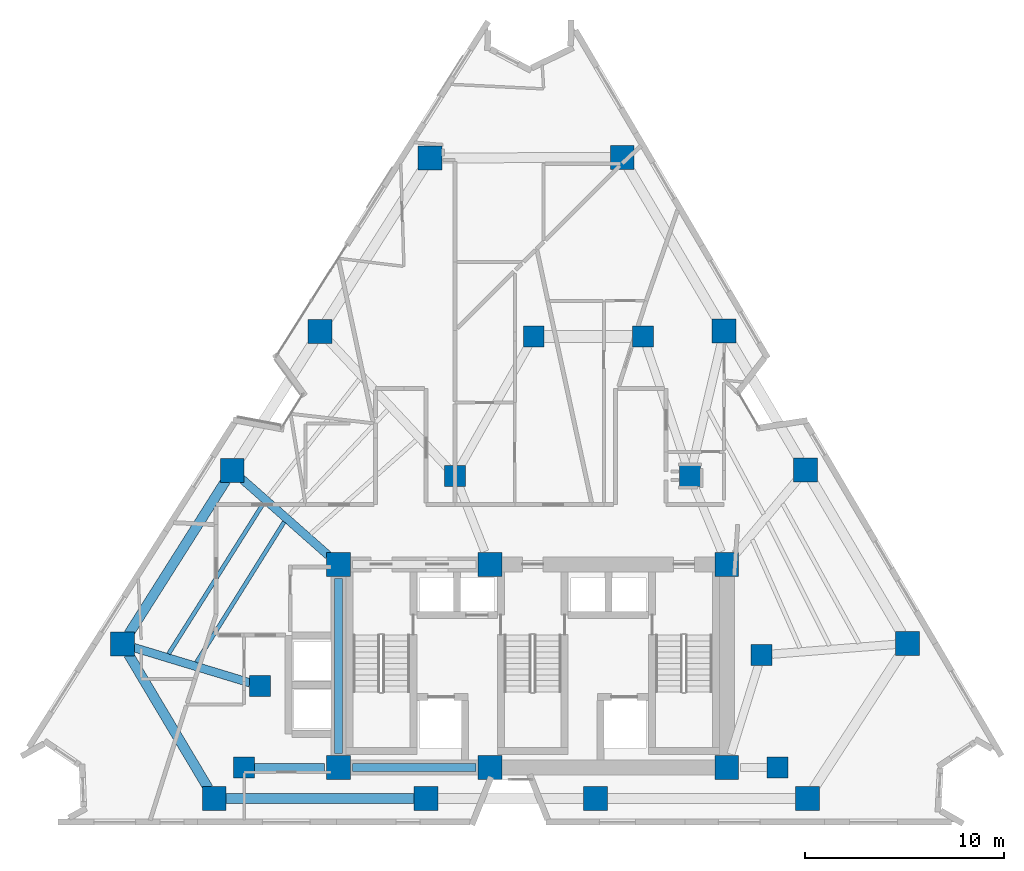
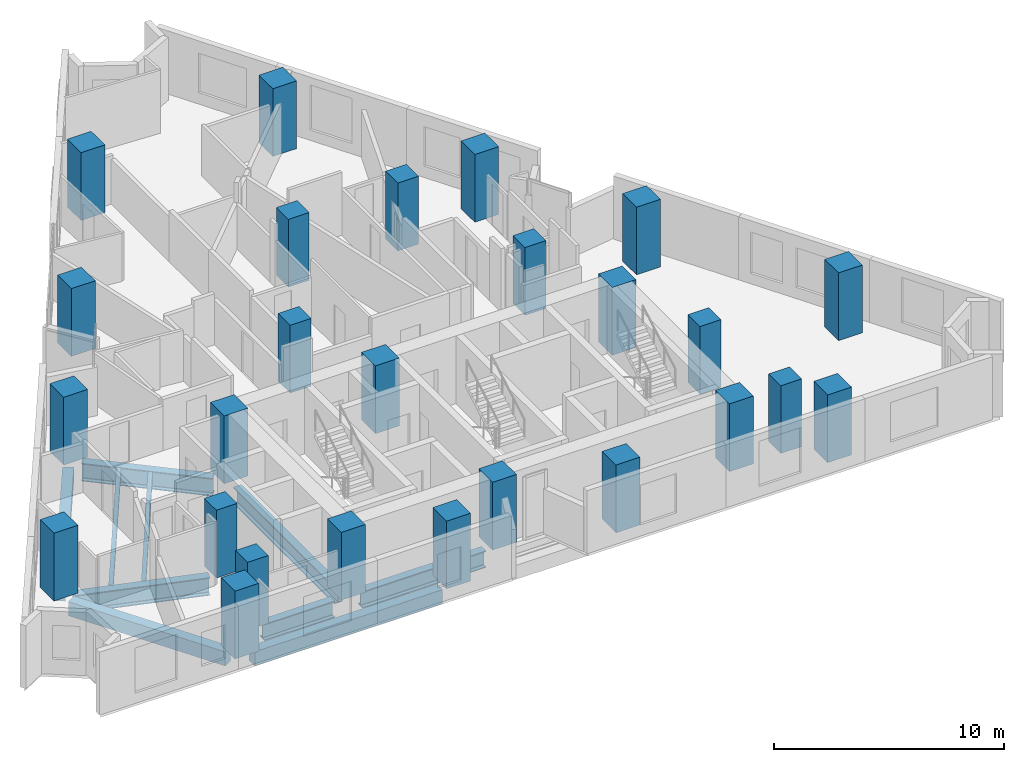
# One storey, part 1 of 12: 26 columns, 10 beams.
"""IFC4 building model written with IfcOpenShell, lengths in metres."""

from ifc_helpers import new_model, si_unit, direction, frame, origin, origin_2d, place, context, subcontext, project, spatial, rectangle, i_section, extrude, material, material_profile, profile_set, type_object, element, save


model = new_model("IFC4")

# Units and contexts
model_context = context("Model", 3, precision=1e-05, world=origin(), true_north=direction((0.0, 1.0)))
body_context = subcontext(model_context, "Body", "Model", "MODEL_VIEW")
ifc_project = project(units=[si_unit("LENGTHUNIT", "METRE"), si_unit("AREAUNIT", "SQUARE_METRE"), si_unit("VOLUMEUNIT", "CUBIC_METRE"), si_unit("PLANEANGLEUNIT", "RADIAN"), si_unit("MASSUNIT", "GRAM", prefix="KILO")], contexts=[model_context])

# Site, building, storey
site_placement = place(None, origin())
site = spatial("IfcSite", under=ifc_project, at=site_placement, CompositionType="ELEMENT")
building_placement = place(site_placement, origin())
building = spatial("IfcBuilding", under=site, at=building_placement, Name="Almagre Mirador Tower", CompositionType="ELEMENT")
storey_placement = place(building_placement, frame((0.0, 0.0, 110.39990234375)))
storey = spatial("IfcBuildingStorey", under=building, at=storey_placement, Name="L27", CompositionType="ELEMENT", Elevation=110.39990234375)

# Columns
ifc_material_1 = material(Name="Concrete C60/75", Category="concrete")
ifc_material_profile_1 = material_profile(ifc_material_1, rectangle(XDim=1.050048828125, YDim=1.050048828125, at=origin_2d()), Name="RC1050X1050")
ifc_profile_set_1 = profile_set([ifc_material_profile_1], Name="Concrete C60/75")
column_type_1 = type_object("IfcColumnType", Name="COL-RC1050", PredefinedType="COLUMN", material=ifc_profile_set_1)
for number, where, z_axis, x_axis, name in (
    (1, (22.800048828125, 4.550048828125, 0.0), (0.0, 0.0, 1.0), (1.0, 0.0, 0.0), "L27 interior transfer column MC1"),
    (2, (49.60009765625, 4.550048828125, 0.0), (0.0, 0.0, 1.0), (1.0, 0.0, 0.0), "L27 interior transfer column MC2"),
    (3, (48.800048828125, 10.199951171875, 0.0), (0.0, 0.0, 1.0), (1.0, 0.0, 0.0), "L27 interior transfer column MC3"),
    (4, (45.199951171875, 19.199951171875, 0.0), (0.0, 0.0, 1.0), (1.0, 0.0, 0.0), "L27 interior transfer column MC5"),
    (5, (42.85009765625, 26.199951171875, 0.0), (0.0, 0.0, 1.0), (1.0, 0.0, 0.0), "L27 interior transfer column MC6"),
    (6, (37.35009765625, 26.199951171875, 0.0), (0.0, 0.0, 1.0), (1.0, 0.0, 0.0), "L27 interior transfer column MC7"),
    (7, (33.39990234375, 19.199951171875, 0.0), (0.0, 0.0, 1.0), (1.0, 0.0, 0.0), "L27 interior transfer column MC8"),
    (8, (23.60009765625, 8.64990234375, 0.0), (0.0, 0.0, 1.0), (1.0, 0.0, 0.0), "L27 interior transfer column MC10"),
):
    element("IfcColumn", number, at=place(storey_placement, frame(where, z_axis=z_axis, x_axis=x_axis)), inside=storey, type_object=column_type_1, Name=name, PredefinedType="COLUMN", context=body_context, shape_type="SweptSolid", body=[
        extrude(rectangle(XDim=1.050048828125, YDim=1.050048828125, at=origin_2d()), origin(), (0.0, 0.0, 1.0), 3.60009765625),
    ])
ifc_material_2 = material(Name="Concrete C60/75", Category="concrete")
ifc_material_profile_2 = material_profile(ifc_material_2, rectangle(XDim=1.199951171875, YDim=1.199951171875, at=origin_2d()), Name="RC1200X1200")
ifc_profile_set_2 = profile_set([ifc_material_profile_2], Name="Concrete C60/75")
column_type_2 = type_object("IfcColumnType", Name="COL-RC1200", PredefinedType="COLUMN", material=ifc_profile_set_2)
for number, where, z_axis, x_axis, name in (
    (9, (27.550048828125, 4.550048828125, 0.0), (0.0, 0.0, 1.0), (1.0, 0.0, 0.0), "L27 core spine column CC1"),
    (10, (35.14990234375, 4.550048828125, 0.0), (0.0, 0.0, 1.0), (1.0, 0.0, 0.0), "L27 core spine column CC2"),
    (11, (47.050048828125, 4.550048828125, 0.0), (0.0, 0.0, 1.0), (1.0, 0.0, 0.0), "L27 core spine column CC3"),
    (12, (27.550048828125, 14.75, 0.0), (0.0, 0.0, 1.0), (1.0, 0.0, 0.0), "L27 core spine column CC4"),
    (13, (35.14990234375, 14.75, 0.0), (0.0, 0.0, 1.0), (1.0, 0.0, 0.0), "L27 core spine column CC5"),
    (14, (47.050048828125, 14.75, 0.0), (0.0, 0.0, 1.0), (1.0, 0.0, 0.0), "L27 core spine column CC6"),
    (15, (21.303955078125, 3.0, 0.0), (0.0, 0.0, 1.0), (1.0, 0.0, 0.0), "L27 perimeter column PC01"),
    (16, (31.944091796875, 3.0, 0.0), (0.0, 0.0, 1.0), (1.0, 0.0, 0.0), "L27 perimeter column PC02"),
    (17, (40.4560546875, 3.0, 0.0), (0.0, 0.0, 1.0), (1.0, 0.0, 0.0), "L27 perimeter column PC03"),
    (18, (51.095947265625, 3.0, 0.0), (0.0, 0.0, 1.0), (1.0, 0.0, 0.0), "L27 perimeter column PC04"),
    (19, (56.133056640625, 10.783935546875, 0.0), (0.0, 0.0, 1.0), (1.0, 0.0, 0.0), "L27 perimeter column PC05"),
    (20, (51.012939453125, 19.50390625, 0.0), (0.0, 0.0, 1.0), (1.0, 0.0, 0.0), "L27 perimeter column PC06"),
    (21, (46.9169921875, 26.47998046875, 0.0), (0.0, 0.0, 1.0), (1.0, 0.0, 0.0), "L27 perimeter column PC07"),
    (22, (41.797119140625, 35.199951171875, 0.0), (0.0, 0.0, 1.0), (1.0, 0.0, 0.0), "L27 perimeter column PC08"),
    (23, (32.14208984375, 35.166015625, 0.0), (0.0, 0.0, 1.0), (1.0, 0.0, 0.0), "L27 perimeter column PC09"),
    (24, (26.6220703125, 26.446044921875, 0.0), (0.0, 0.0, 1.0), (1.0, 0.0, 0.0), "L27 perimeter column PC10"),
    (25, (22.2060546875, 19.469970703125, 0.0), (0.0, 0.0, 1.0), (1.0, 0.0, 0.0), "L27 perimeter column PC11"),
    (26, (16.68603515625, 10.75, 0.0), (0.0, 0.0, 1.0), (1.0, 0.0, 0.0), "L27 perimeter column PC12"),
):
    element("IfcColumn", number, at=place(storey_placement, frame(where, z_axis=z_axis, x_axis=x_axis)), inside=storey, type_object=column_type_2, Name=name, PredefinedType="COLUMN", context=body_context, shape_type="SweptSolid", body=[
        extrude(rectangle(XDim=1.199951171875, YDim=1.199951171875, at=origin_2d()), origin(), (0.0, 0.0, 1.0), 3.60009765625),
    ])

# Beams
ifc_material_3 = material(Name="Steel ASTM A992 Grade 50", Category="steel")
ifc_material_profile_3 = material_profile(ifc_material_3, i_section(OverallWidth=0.205078125, OverallDepth=0.31005859375, WebThickness=0.009521484375, FlangeThickness=0.016357421875, FilletRadius=0.013916015625, at=origin_2d()), Name="W12X50")
ifc_profile_set_3 = profile_set([ifc_material_profile_3], Name="Steel ASTM A992 Grade 50")
beam_type_1 = type_object("IfcBeamType", Name="BM-JST-W12X50", PredefinedType="JOIST", material=ifc_profile_set_3)
beam_1_placement = place(storey_placement, frame((23.7666015625, 17.813232421875, -0.40478515625), z_axis=(-0.53299890103, -0.84611593266, 0.0), x_axis=(0.84611593266, -0.53299890103, 0.0)))
element("IfcBeam", 27, at=beam_1_placement, inside=storey, type_object=beam_type_1, Name="L27 secondary floor joist PC11-PC12.1", PredefinedType="JOIST", context=body_context, shape_type="SweptSolid", body=[
    extrude(i_section(OverallWidth=0.205078125, OverallDepth=0.31005859375, WebThickness=0.009521484375, FlangeThickness=0.016357421875, FilletRadius=0.013916015625, at=origin_2d()), origin(), (0.0, 0.0, 1.0), 8.92919921875),
])
beam_2_placement = place(storey_placement, frame((24.81591796875, 16.88671875, -0.40478515625), z_axis=(-0.529967279792, -0.848018090815, 0.0), x_axis=(0.848018090815, -0.529967279792, 0.0)))
element("IfcBeam", 28, at=beam_2_placement, inside=storey, type_object=beam_type_1, Name="L27 secondary floor joist PC11-PC12.2", PredefinedType="JOIST", context=body_context, shape_type="SweptSolid", body=[
    extrude(i_section(OverallWidth=0.205078125, OverallDepth=0.31005859375, WebThickness=0.009521484375, FlangeThickness=0.016357421875, FilletRadius=0.013916015625, at=origin_2d()), origin(), (0.0, 0.0, 1.0), 8.31787109375),
])
ifc_material_4 = material(Name="Precast concrete C50/60", Category="concrete")
ifc_material_profile_4 = material_profile(ifc_material_4, rectangle(XDim=0.5, YDim=0.75, at=origin_2d()), Name="RC500X750")
ifc_profile_set_4 = profile_set([ifc_material_profile_4], Name="Precast concrete C50/60")
beam_type_2 = type_object("IfcBeamType", Name="BM-SPN-RC500X750", PredefinedType="SPANDREL", material=ifc_profile_set_4)
beam_3_placement = place(storey_placement, frame((21.904052734375, 3.0, -0.625), z_axis=(1.0, 0.0, 0.0), x_axis=(0.0, 1.0, 0.0)))
element("IfcBeam", 29, at=beam_3_placement, inside=storey, type_object=beam_type_2, Name="L27 perimeter spandrel beam PC01-PC02", PredefinedType="SPANDREL", context=body_context, shape_type="SweptSolid", body=[
    extrude(rectangle(XDim=0.5, YDim=0.75, at=origin_2d()), origin(), (0.0, 0.0, 1.0), 9.43994140625),
])
beam_4_placement = place(storey_placement, frame((21.885009765625, 18.962890625, -0.625), z_axis=(-0.534882027559, -0.844926752207, 0.0), x_axis=(0.844926752207, -0.534882027559, 0.0)))
element("IfcBeam", 30, at=beam_4_placement, inside=storey, type_object=beam_type_2, Name="L27 perimeter spandrel beam PC11-PC12", PredefinedType="SPANDREL", context=body_context, shape_type="SweptSolid", body=[
    extrude(rectangle(XDim=0.5, YDim=0.75, at=origin_2d()), origin(), (0.0, 0.0, 1.0), 9.1201171875),
])
beam_5_placement = place(storey_placement, frame((16.9931640625, 10.234619140625, -0.625), z_axis=(0.511872325073, -0.85906153611, 0.0), x_axis=(0.85906153611, 0.511872325073, 0.0)))
element("IfcBeam", 31, at=beam_5_placement, inside=storey, type_object=beam_type_2, Name="L27 perimeter spandrel beam PC12-PC01", PredefinedType="SPANDREL", context=body_context, shape_type="SweptSolid", body=[
    extrude(rectangle(XDim=0.5, YDim=0.75, at=origin_2d()), origin(), (0.0, 0.0, 1.0), 7.821533203125),
])
ifc_material_5 = material(Name="Steel ASTM A992 Grade 50", Category="steel")
ifc_material_profile_5 = material_profile(ifc_material_5, i_section(OverallWidth=0.404052734375, OverallDepth=0.884033203125, WebThickness=0.0244140625, FlangeThickness=0.0439453125, FilletRadius=0.02490234375, at=origin_2d()), Name="W33X291")
ifc_profile_set_5 = profile_set([ifc_material_profile_5], Name="Steel ASTM A992 Grade 50")
beam_type_3 = type_object("IfcBeamType", Name="BM-STL-W33X291", PredefinedType="BEAM", material=ifc_profile_set_5)
beam_6_placement = place(storey_placement, frame((28.25, 4.550048828125, -0.69189453125), z_axis=(1.0, 0.0, 0.0), x_axis=(0.0, 1.0, 0.0)))
element("IfcBeam", 32, at=beam_6_placement, inside=storey, type_object=beam_type_3, Name="L27 core tie girder CC1-CC2", PredefinedType="BEAM", context=body_context, shape_type="SweptSolid", body=[
    extrude(i_section(OverallWidth=0.404052734375, OverallDepth=0.884033203125, WebThickness=0.0244140625, FlangeThickness=0.0439453125, FilletRadius=0.02490234375, at=origin_2d()), origin(), (0.0, 0.0, 1.0), 6.199951171875),
])
beam_7_placement = place(storey_placement, frame((27.550048828125, 5.25, -0.69189453125), z_axis=(0.0, 1.0, 0.0), x_axis=(-1.0, 0.0, 0.0)))
element("IfcBeam", 33, at=beam_7_placement, inside=storey, type_object=beam_type_3, Name="L27 core tie girder CC1-CC4", PredefinedType="BEAM", context=body_context, shape_type="SweptSolid", body=[
    extrude(i_section(OverallWidth=0.404052734375, OverallDepth=0.884033203125, WebThickness=0.0244140625, FlangeThickness=0.0439453125, FilletRadius=0.02490234375, at=origin_2d()), origin(), (0.0, 0.0, 1.0), 8.800048828125),
])
beam_8_placement = place(storey_placement, frame((23.324951171875, 4.550048828125, -0.69189453125), z_axis=(1.0, 0.0, 0.0), x_axis=(0.0, 1.0, 0.0)))
element("IfcBeam", 34, at=beam_8_placement, inside=storey, type_object=beam_type_3, Name="L27 core tie girder MC1-CC1", PredefinedType="BEAM", context=body_context, shape_type="SweptSolid", body=[
    extrude(i_section(OverallWidth=0.404052734375, OverallDepth=0.884033203125, WebThickness=0.0244140625, FlangeThickness=0.0439453125, FilletRadius=0.02490234375, at=origin_2d()), origin(), (0.0, 0.0, 1.0), 3.525146484375),
])
ifc_material_6 = material(Name="Steel ASTM A992 Grade 50", Category="steel")
ifc_material_profile_6 = material_profile(ifc_material_6, i_section(OverallWidth=0.423095703125, OverallDepth=0.947998046875, WebThickness=0.02392578125, FlangeThickness=0.042724609375, FilletRadius=0.028076171875, at=origin_2d()), Name="W36X302")
ifc_profile_set_6 = profile_set([ifc_material_profile_6], Name="Steel ASTM A992 Grade 50")
beam_type_4 = type_object("IfcBeamType", Name="BM-STL-W36X302", PredefinedType="BEAM", material=ifc_profile_set_6)
beam_9_placement = place(storey_placement, frame((22.65576171875, 19.07275390625, -0.723876953125), z_axis=(0.749512689339, -0.661989976147, 0.0), x_axis=(0.661989976147, 0.749512689339, 0.0)))
element("IfcBeam", 35, at=beam_9_placement, inside=storey, type_object=beam_type_4, Name="L27 radial floor girder PC11-CC4", PredefinedType="BEAM", context=body_context, shape_type="SweptSolid", body=[
    extrude(i_section(OverallWidth=0.423095703125, OverallDepth=0.947998046875, WebThickness=0.02392578125, FlangeThickness=0.042724609375, FilletRadius=0.028076171875, at=origin_2d()), origin(), (0.0, 0.0, 1.0), 5.830078125),
])
beam_10_placement = place(storey_placement, frame((17.260009765625, 10.57568359375, -0.723876953125), z_axis=(0.95683269583, -0.290639281913, 0.0), x_axis=(0.290639281913, 0.95683269583, 0.0)))
element("IfcBeam", 36, at=beam_10_placement, inside=storey, type_object=beam_type_4, Name="L27 radial floor girder PC12-MC10", PredefinedType="BEAM", context=body_context, shape_type="SweptSolid", body=[
    extrude(i_section(OverallWidth=0.423095703125, OverallDepth=0.947998046875, WebThickness=0.02392578125, FlangeThickness=0.042724609375, FilletRadius=0.028076171875, at=origin_2d()), origin(), (0.0, 0.0, 1.0), 6.10107421875),
])

save(model, "model.ifc")
